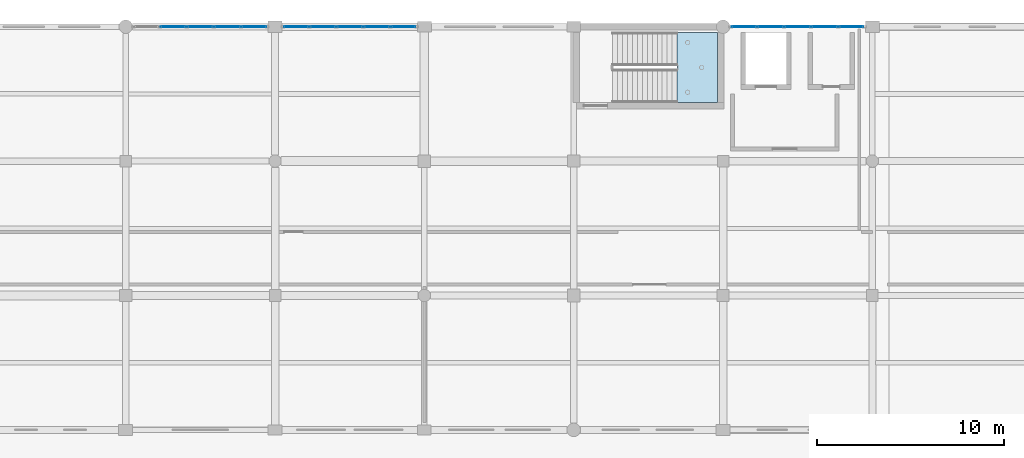
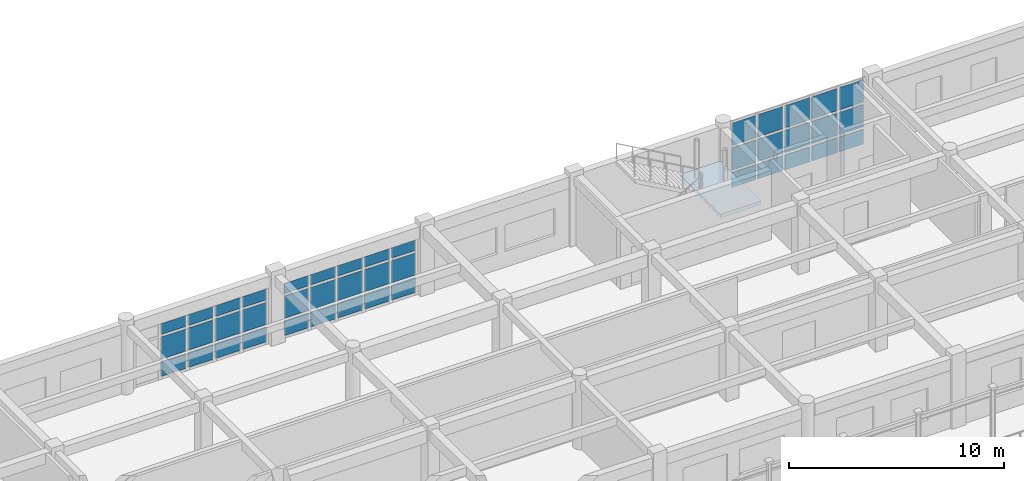
# One storey, part 151 of 195: 42 plates, 1 slab, 4 elements without a shape of their own.
"""IFC4 building model written with IfcOpenShell, lengths in metres."""

from ifc_helpers import new_model, si_unit, direction, frame, origin, origin_2d, place, context, subcontext, project, spatial, polyline, rectangle, outline, extrude, material, layer, layer_set, type_object, element, aggregate, save


model = new_model("IFC4")

# Units and contexts
model_context = context("Model", 3, precision=1e-05, world=origin(), true_north=direction((0.0, 1.0)))
body_context = subcontext(model_context, "Body", "Model", "MODEL_VIEW")
ifc_project = project(units=[si_unit("LENGTHUNIT", "METRE"), si_unit("AREAUNIT", "SQUARE_METRE"), si_unit("VOLUMEUNIT", "CUBIC_METRE"), si_unit("PLANEANGLEUNIT", "RADIAN"), si_unit("MASSUNIT", "GRAM", prefix="KILO")], contexts=[model_context])

# Site, building, storey
site_placement = place(None, origin())
site = spatial("IfcSite", under=ifc_project, at=site_placement, CompositionType="ELEMENT")
building_placement = place(site_placement, origin())
building = spatial("IfcBuilding", under=site, at=building_placement, Name="Kharva Crest Polytechnic", CompositionType="ELEMENT")
storey_placement = place(building_placement, frame((0.0, 0.0, 9.0)))
storey = spatial("IfcBuildingStorey", under=building, at=storey_placement, Name="L02", CompositionType="ELEMENT", Elevation=9.0)

# Curtain wall, plates
ifc_material_1 = material(Name="Tempered insulated glass", Category="glass")
curtain_wall_type = type_object("IfcCurtainWallType", Name="CW-SYS-LIBRARY", PredefinedType="USERDEFINED", material=ifc_material_1)
curtain_wall_1_placement = place(storey_placement, origin())
curtain_wall_1 = element("IfcCurtainWall", 1, at=curtain_wall_1_placement, inside=storey, type_object=curtain_wall_type, Name="L02 Glazed Curtain Wall CW-118", ObjectType="CURTAIN WALL", PredefinedType="USERDEFINED")
ifc_layer_1 = layer(ifc_material_1, 0.031982421875, Name="Tempered insulated glass")
ifc_layer_set_1 = layer_set([ifc_layer_1], Name="Tempered insulated glass")
plate_type = type_object("IfcPlateType", Name="CWP-GLZ-32", PredefinedType="CURTAIN_PANEL", material=ifc_layer_set_1)
plate_1_placement = place(storey_placement, frame((118.869384765625, 122.0, 0.14013671875), z_axis=(0.0, 0.0, 1.0), x_axis=(-1.0, 0.0, 0.0)))
plate_1 = element("IfcPlate", 2, at=plate_1_placement, type_object=plate_type, Name="CW-118 panel 1.1", PredefinedType="CURTAIN_PANEL", context=body_context, shape_type="SweptSolid", body=[
    extrude(rectangle(XDim=1.301025390625, YDim=0.031982421875, at=origin_2d()), origin(), (0.0, 0.0, 1.0), 0.840087890625),
])
plate_2_placement = place(storey_placement, frame((118.869384765625, 122.0, 1.1201171875), z_axis=(0.0, 0.0, 1.0), x_axis=(-1.0, 0.0, 0.0)))
plate_2 = element("IfcPlate", 3, at=plate_2_placement, type_object=plate_type, Name="CW-118 panel 1.2", PredefinedType="CURTAIN_PANEL", context=body_context, shape_type="SweptSolid", body=[
    extrude(rectangle(XDim=1.301025390625, YDim=0.031982421875, at=origin_2d()), origin(), (0.0, 0.0, 1.0), 1.260009765625),
])
plate_3_placement = place(storey_placement, frame((118.869384765625, 122.0, 2.52001953125), z_axis=(0.0, 0.0, 1.0), x_axis=(-1.0, 0.0, 0.0)))
plate_3 = element("IfcPlate", 4, at=plate_3_placement, type_object=plate_type, Name="CW-118 panel 1.3", PredefinedType="CURTAIN_PANEL", context=body_context, shape_type="SweptSolid", body=[
    extrude(rectangle(XDim=1.301025390625, YDim=0.031982421875, at=origin_2d()), origin(), (0.0, 0.0, 1.0), 1.260009765625),
])
plate_4_placement = place(storey_placement, frame((117.443603515625, 122.0, 0.14013671875), z_axis=(0.0, 0.0, 1.0), x_axis=(-1.0, 0.0, 0.0)))
plate_4 = element("IfcPlate", 5, at=plate_4_placement, type_object=plate_type, Name="CW-118 panel 2.1", PredefinedType="CURTAIN_PANEL", context=body_context, shape_type="SweptSolid", body=[
    extrude(rectangle(XDim=1.35107421875, YDim=0.031982421875, at=origin_2d()), origin(), (0.0, 0.0, 1.0), 0.840087890625),
])
plate_5_placement = place(storey_placement, frame((117.443603515625, 122.0, 1.1201171875), z_axis=(0.0, 0.0, 1.0), x_axis=(-1.0, 0.0, 0.0)))
plate_5 = element("IfcPlate", 6, at=plate_5_placement, type_object=plate_type, Name="CW-118 panel 2.2", PredefinedType="CURTAIN_PANEL", context=body_context, shape_type="SweptSolid", body=[
    extrude(rectangle(XDim=1.35107421875, YDim=0.031982421875, at=origin_2d()), origin(), (0.0, 0.0, 1.0), 1.260009765625),
])
plate_6_placement = place(storey_placement, frame((117.443603515625, 122.0, 2.52001953125), z_axis=(0.0, 0.0, 1.0), x_axis=(-1.0, 0.0, 0.0)))
plate_6 = element("IfcPlate", 7, at=plate_6_placement, type_object=plate_type, Name="CW-118 panel 2.3", PredefinedType="CURTAIN_PANEL", context=body_context, shape_type="SweptSolid", body=[
    extrude(rectangle(XDim=1.35107421875, YDim=0.031982421875, at=origin_2d()), origin(), (0.0, 0.0, 1.0), 1.260009765625),
])
plate_7_placement = place(storey_placement, frame((115.992431640625, 122.0, 0.14013671875), z_axis=(0.0, 0.0, 1.0), x_axis=(-1.0, 0.0, 0.0)))
plate_7 = element("IfcPlate", 8, at=plate_7_placement, type_object=plate_type, Name="CW-118 panel 3.1", PredefinedType="CURTAIN_PANEL", context=body_context, shape_type="SweptSolid", body=[
    extrude(rectangle(XDim=1.35107421875, YDim=0.031982421875, at=origin_2d()), origin(), (0.0, 0.0, 1.0), 0.840087890625),
])
plate_8_placement = place(storey_placement, frame((115.992431640625, 122.0, 1.1201171875), z_axis=(0.0, 0.0, 1.0), x_axis=(-1.0, 0.0, 0.0)))
plate_8 = element("IfcPlate", 9, at=plate_8_placement, type_object=plate_type, Name="CW-118 panel 3.2", PredefinedType="CURTAIN_PANEL", context=body_context, shape_type="SweptSolid", body=[
    extrude(rectangle(XDim=1.35107421875, YDim=0.031982421875, at=origin_2d()), origin(), (0.0, 0.0, 1.0), 1.260009765625),
])
plate_9_placement = place(storey_placement, frame((115.992431640625, 122.0, 2.52001953125), z_axis=(0.0, 0.0, 1.0), x_axis=(-1.0, 0.0, 0.0)))
plate_9 = element("IfcPlate", 10, at=plate_9_placement, type_object=plate_type, Name="CW-118 panel 3.3", PredefinedType="CURTAIN_PANEL", context=body_context, shape_type="SweptSolid", body=[
    extrude(rectangle(XDim=1.35107421875, YDim=0.031982421875, at=origin_2d()), origin(), (0.0, 0.0, 1.0), 1.260009765625),
])
plate_10_placement = place(storey_placement, frame((114.54150390625, 122.0, 0.14013671875), z_axis=(0.0, 0.0, 1.0), x_axis=(-1.0, 0.0, 0.0)))
plate_10 = element("IfcPlate", 11, at=plate_10_placement, type_object=plate_type, Name="CW-118 panel 4.1", PredefinedType="CURTAIN_PANEL", context=body_context, shape_type="SweptSolid", body=[
    extrude(rectangle(XDim=1.35107421875, YDim=0.031982421875, at=origin_2d()), origin(), (0.0, 0.0, 1.0), 0.840087890625),
])
plate_11_placement = place(storey_placement, frame((114.54150390625, 122.0, 1.1201171875), z_axis=(0.0, 0.0, 1.0), x_axis=(-1.0, 0.0, 0.0)))
plate_11 = element("IfcPlate", 12, at=plate_11_placement, type_object=plate_type, Name="CW-118 panel 4.2", PredefinedType="CURTAIN_PANEL", context=body_context, shape_type="SweptSolid", body=[
    extrude(rectangle(XDim=1.35107421875, YDim=0.031982421875, at=origin_2d()), origin(), (0.0, 0.0, 1.0), 1.260009765625),
])
plate_12_placement = place(storey_placement, frame((114.54150390625, 122.0, 2.52001953125), z_axis=(0.0, 0.0, 1.0), x_axis=(-1.0, 0.0, 0.0)))
plate_12 = element("IfcPlate", 13, at=plate_12_placement, type_object=plate_type, Name="CW-118 panel 4.3", PredefinedType="CURTAIN_PANEL", context=body_context, shape_type="SweptSolid", body=[
    extrude(rectangle(XDim=1.35107421875, YDim=0.031982421875, at=origin_2d()), origin(), (0.0, 0.0, 1.0), 1.260009765625),
])
plate_13_placement = place(storey_placement, frame((113.115478515625, 122.0, 0.14013671875), z_axis=(0.0, 0.0, 1.0), x_axis=(-1.0, 0.0, 0.0)))
plate_13 = element("IfcPlate", 14, at=plate_13_placement, type_object=plate_type, Name="CW-118 panel 5.1", PredefinedType="CURTAIN_PANEL", context=body_context, shape_type="SweptSolid", body=[
    extrude(rectangle(XDim=1.301025390625, YDim=0.031982421875, at=origin_2d()), origin(), (0.0, 0.0, 1.0), 0.840087890625),
])
plate_14_placement = place(storey_placement, frame((113.115478515625, 122.0, 1.1201171875), z_axis=(0.0, 0.0, 1.0), x_axis=(-1.0, 0.0, 0.0)))
plate_14 = element("IfcPlate", 15, at=plate_14_placement, type_object=plate_type, Name="CW-118 panel 5.2", PredefinedType="CURTAIN_PANEL", context=body_context, shape_type="SweptSolid", body=[
    extrude(rectangle(XDim=1.301025390625, YDim=0.031982421875, at=origin_2d()), origin(), (0.0, 0.0, 1.0), 1.260009765625),
])
plate_15_placement = place(storey_placement, frame((113.115478515625, 122.0, 2.52001953125), z_axis=(0.0, 0.0, 1.0), x_axis=(-1.0, 0.0, 0.0)))
plate_15 = element("IfcPlate", 16, at=plate_15_placement, type_object=plate_type, Name="CW-118 panel 5.3", PredefinedType="CURTAIN_PANEL", context=body_context, shape_type="SweptSolid", body=[
    extrude(rectangle(XDim=1.301025390625, YDim=0.031982421875, at=origin_2d()), origin(), (0.0, 0.0, 1.0), 1.260009765625),
])
aggregate(curtain_wall_1, [plate_1, plate_2, plate_3, plate_4, plate_5, plate_6, plate_7, plate_8, plate_9, plate_10, plate_11, plate_12, plate_13, plate_14, plate_15])

curtain_wall_2_placement = place(storey_placement, origin())
curtain_wall_2 = element("IfcCurtainWall", 17, at=curtain_wall_2_placement, inside=storey, type_object=curtain_wall_type, Name="L02 Glazed Curtain Wall CW-119", ObjectType="CURTAIN WALL", PredefinedType="USERDEFINED")
plate_16_placement = place(storey_placement, frame((94.87109375, 122.0, 0.14013671875), z_axis=(0.0, 0.0, 1.0), x_axis=(-1.0, 0.0, 0.0)))
plate_16 = element("IfcPlate", 18, at=plate_16_placement, type_object=plate_type, Name="CW-119 panel 1.1", PredefinedType="CURTAIN_PANEL", context=body_context, shape_type="SweptSolid", body=[
    extrude(rectangle(XDim=1.298095703125, YDim=0.031982421875, at=origin_2d()), origin(), (0.0, 0.0, 1.0), 0.840087890625),
])
plate_17_placement = place(storey_placement, frame((94.87109375, 122.0, 1.1201171875), z_axis=(0.0, 0.0, 1.0), x_axis=(-1.0, 0.0, 0.0)))
plate_17 = element("IfcPlate", 19, at=plate_17_placement, type_object=plate_type, Name="CW-119 panel 1.2", PredefinedType="CURTAIN_PANEL", context=body_context, shape_type="SweptSolid", body=[
    extrude(rectangle(XDim=1.298095703125, YDim=0.031982421875, at=origin_2d()), origin(), (0.0, 0.0, 1.0), 1.260009765625),
])
plate_18_placement = place(storey_placement, frame((94.87109375, 122.0, 2.52001953125), z_axis=(0.0, 0.0, 1.0), x_axis=(-1.0, 0.0, 0.0)))
plate_18 = element("IfcPlate", 20, at=plate_18_placement, type_object=plate_type, Name="CW-119 panel 1.3", PredefinedType="CURTAIN_PANEL", context=body_context, shape_type="SweptSolid", body=[
    extrude(rectangle(XDim=1.298095703125, YDim=0.031982421875, at=origin_2d()), origin(), (0.0, 0.0, 1.0), 0.580078125),
])
plate_19_placement = place(storey_placement, frame((93.447998046875, 122.0, 0.14013671875), z_axis=(0.0, 0.0, 1.0), x_axis=(-1.0, 0.0, 0.0)))
plate_19 = element("IfcPlate", 21, at=plate_19_placement, type_object=plate_type, Name="CW-119 panel 2.1", PredefinedType="CURTAIN_PANEL", context=body_context, shape_type="SweptSolid", body=[
    extrude(rectangle(XDim=1.347900390625, YDim=0.031982421875, at=origin_2d()), origin(), (0.0, 0.0, 1.0), 0.840087890625),
])
plate_20_placement = place(storey_placement, frame((93.447998046875, 122.0, 1.1201171875), z_axis=(0.0, 0.0, 1.0), x_axis=(-1.0, 0.0, 0.0)))
plate_20 = element("IfcPlate", 22, at=plate_20_placement, type_object=plate_type, Name="CW-119 panel 2.2", PredefinedType="CURTAIN_PANEL", context=body_context, shape_type="SweptSolid", body=[
    extrude(rectangle(XDim=1.347900390625, YDim=0.031982421875, at=origin_2d()), origin(), (0.0, 0.0, 1.0), 1.260009765625),
])
plate_21_placement = place(storey_placement, frame((93.447998046875, 122.0, 2.52001953125), z_axis=(0.0, 0.0, 1.0), x_axis=(-1.0, 0.0, 0.0)))
plate_21 = element("IfcPlate", 23, at=plate_21_placement, type_object=plate_type, Name="CW-119 panel 2.3", PredefinedType="CURTAIN_PANEL", context=body_context, shape_type="SweptSolid", body=[
    extrude(rectangle(XDim=1.347900390625, YDim=0.031982421875, at=origin_2d()), origin(), (0.0, 0.0, 1.0), 0.580078125),
])
plate_22_placement = place(storey_placement, frame((92.0, 122.0, 0.14013671875), z_axis=(0.0, 0.0, 1.0), x_axis=(-1.0, 0.0, 0.0)))
plate_22 = element("IfcPlate", 24, at=plate_22_placement, type_object=plate_type, Name="CW-119 panel 3.1", PredefinedType="CURTAIN_PANEL", context=body_context, shape_type="SweptSolid", body=[
    extrude(rectangle(XDim=1.347900390625, YDim=0.031982421875, at=origin_2d()), origin(), (0.0, 0.0, 1.0), 0.840087890625),
])
plate_23_placement = place(storey_placement, frame((92.0, 122.0, 1.1201171875), z_axis=(0.0, 0.0, 1.0), x_axis=(-1.0, 0.0, 0.0)))
plate_23 = element("IfcPlate", 25, at=plate_23_placement, type_object=plate_type, Name="CW-119 panel 3.2", PredefinedType="CURTAIN_PANEL", context=body_context, shape_type="SweptSolid", body=[
    extrude(rectangle(XDim=1.347900390625, YDim=0.031982421875, at=origin_2d()), origin(), (0.0, 0.0, 1.0), 1.260009765625),
])
plate_24_placement = place(storey_placement, frame((92.0, 122.0, 2.52001953125), z_axis=(0.0, 0.0, 1.0), x_axis=(-1.0, 0.0, 0.0)))
plate_24 = element("IfcPlate", 26, at=plate_24_placement, type_object=plate_type, Name="CW-119 panel 3.3", PredefinedType="CURTAIN_PANEL", context=body_context, shape_type="SweptSolid", body=[
    extrude(rectangle(XDim=1.347900390625, YDim=0.031982421875, at=origin_2d()), origin(), (0.0, 0.0, 1.0), 0.580078125),
])
plate_25_placement = place(storey_placement, frame((90.552001953125, 122.0, 0.14013671875), z_axis=(0.0, 0.0, 1.0), x_axis=(-1.0, 0.0, 0.0)))
plate_25 = element("IfcPlate", 27, at=plate_25_placement, type_object=plate_type, Name="CW-119 panel 4.1", PredefinedType="CURTAIN_PANEL", context=body_context, shape_type="SweptSolid", body=[
    extrude(rectangle(XDim=1.347900390625, YDim=0.031982421875, at=origin_2d()), origin(), (0.0, 0.0, 1.0), 0.840087890625),
])
plate_26_placement = place(storey_placement, frame((90.552001953125, 122.0, 1.1201171875), z_axis=(0.0, 0.0, 1.0), x_axis=(-1.0, 0.0, 0.0)))
plate_26 = element("IfcPlate", 28, at=plate_26_placement, type_object=plate_type, Name="CW-119 panel 4.2", PredefinedType="CURTAIN_PANEL", context=body_context, shape_type="SweptSolid", body=[
    extrude(rectangle(XDim=1.347900390625, YDim=0.031982421875, at=origin_2d()), origin(), (0.0, 0.0, 1.0), 1.260009765625),
])
plate_27_placement = place(storey_placement, frame((90.552001953125, 122.0, 2.52001953125), z_axis=(0.0, 0.0, 1.0), x_axis=(-1.0, 0.0, 0.0)))
plate_27 = element("IfcPlate", 29, at=plate_27_placement, type_object=plate_type, Name="CW-119 panel 4.3", PredefinedType="CURTAIN_PANEL", context=body_context, shape_type="SweptSolid", body=[
    extrude(rectangle(XDim=1.347900390625, YDim=0.031982421875, at=origin_2d()), origin(), (0.0, 0.0, 1.0), 0.580078125),
])
plate_28_placement = place(storey_placement, frame((89.12890625, 122.0, 0.14013671875), z_axis=(0.0, 0.0, 1.0), x_axis=(-1.0, 0.0, 0.0)))
plate_28 = element("IfcPlate", 30, at=plate_28_placement, type_object=plate_type, Name="CW-119 panel 5.1", PredefinedType="CURTAIN_PANEL", context=body_context, shape_type="SweptSolid", body=[
    extrude(rectangle(XDim=1.298095703125, YDim=0.031982421875, at=origin_2d()), origin(), (0.0, 0.0, 1.0), 0.840087890625),
])
plate_29_placement = place(storey_placement, frame((89.12890625, 122.0, 1.1201171875), z_axis=(0.0, 0.0, 1.0), x_axis=(-1.0, 0.0, 0.0)))
plate_29 = element("IfcPlate", 31, at=plate_29_placement, type_object=plate_type, Name="CW-119 panel 5.2", PredefinedType="CURTAIN_PANEL", context=body_context, shape_type="SweptSolid", body=[
    extrude(rectangle(XDim=1.298095703125, YDim=0.031982421875, at=origin_2d()), origin(), (0.0, 0.0, 1.0), 1.260009765625),
])
plate_30_placement = place(storey_placement, frame((89.12890625, 122.0, 2.52001953125), z_axis=(0.0, 0.0, 1.0), x_axis=(-1.0, 0.0, 0.0)))
plate_30 = element("IfcPlate", 32, at=plate_30_placement, type_object=plate_type, Name="CW-119 panel 5.3", PredefinedType="CURTAIN_PANEL", context=body_context, shape_type="SweptSolid", body=[
    extrude(rectangle(XDim=1.298095703125, YDim=0.031982421875, at=origin_2d()), origin(), (0.0, 0.0, 1.0), 0.580078125),
])
aggregate(curtain_wall_2, [plate_16, plate_17, plate_18, plate_19, plate_20, plate_21, plate_22, plate_23, plate_24, plate_25, plate_26, plate_27, plate_28, plate_29, plate_30])

curtain_wall_3_placement = place(storey_placement, origin())
curtain_wall_3 = element("IfcCurtainWall", 33, at=curtain_wall_3_placement, inside=storey, type_object=curtain_wall_type, Name="L02 Glazed Curtain Wall CW-120", ObjectType="CURTAIN WALL", PredefinedType="USERDEFINED")
plate_31_placement = place(storey_placement, frame((86.869384765625, 122.0, 0.14013671875), z_axis=(0.0, 0.0, 1.0), x_axis=(-1.0, 0.0, 0.0)))
plate_31 = element("IfcPlate", 34, at=plate_31_placement, type_object=plate_type, Name="CW-120 panel 1.1", PredefinedType="CURTAIN_PANEL", context=body_context, shape_type="SweptSolid", body=[
    extrude(rectangle(XDim=1.301025390625, YDim=0.031982421875, at=origin_2d()), origin(), (0.0, 0.0, 1.0), 0.840087890625),
])
plate_32_placement = place(storey_placement, frame((86.869384765625, 122.0, 1.1201171875), z_axis=(0.0, 0.0, 1.0), x_axis=(-1.0, 0.0, 0.0)))
plate_32 = element("IfcPlate", 35, at=plate_32_placement, type_object=plate_type, Name="CW-120 panel 1.2", PredefinedType="CURTAIN_PANEL", context=body_context, shape_type="SweptSolid", body=[
    extrude(rectangle(XDim=1.301025390625, YDim=0.031982421875, at=origin_2d()), origin(), (0.0, 0.0, 1.0), 1.260009765625),
])
plate_33_placement = place(storey_placement, frame((86.869384765625, 122.0, 2.52001953125), z_axis=(0.0, 0.0, 1.0), x_axis=(-1.0, 0.0, 0.0)))
plate_33 = element("IfcPlate", 36, at=plate_33_placement, type_object=plate_type, Name="CW-120 panel 1.3", PredefinedType="CURTAIN_PANEL", context=body_context, shape_type="SweptSolid", body=[
    extrude(rectangle(XDim=1.301025390625, YDim=0.031982421875, at=origin_2d()), origin(), (0.0, 0.0, 1.0), 0.610107421875),
])
plate_34_placement = place(storey_placement, frame((85.443603515625, 122.0, 0.14013671875), z_axis=(0.0, 0.0, 1.0), x_axis=(-1.0, 0.0, 0.0)))
plate_34 = element("IfcPlate", 37, at=plate_34_placement, type_object=plate_type, Name="CW-120 panel 2.1", PredefinedType="CURTAIN_PANEL", context=body_context, shape_type="SweptSolid", body=[
    extrude(rectangle(XDim=1.35107421875, YDim=0.031982421875, at=origin_2d()), origin(), (0.0, 0.0, 1.0), 0.840087890625),
])
plate_35_placement = place(storey_placement, frame((85.443603515625, 122.0, 1.1201171875), z_axis=(0.0, 0.0, 1.0), x_axis=(-1.0, 0.0, 0.0)))
plate_35 = element("IfcPlate", 38, at=plate_35_placement, type_object=plate_type, Name="CW-120 panel 2.2", PredefinedType="CURTAIN_PANEL", context=body_context, shape_type="SweptSolid", body=[
    extrude(rectangle(XDim=1.35107421875, YDim=0.031982421875, at=origin_2d()), origin(), (0.0, 0.0, 1.0), 1.260009765625),
])
plate_36_placement = place(storey_placement, frame((85.443603515625, 122.0, 2.52001953125), z_axis=(0.0, 0.0, 1.0), x_axis=(-1.0, 0.0, 0.0)))
plate_36 = element("IfcPlate", 39, at=plate_36_placement, type_object=plate_type, Name="CW-120 panel 2.3", PredefinedType="CURTAIN_PANEL", context=body_context, shape_type="SweptSolid", body=[
    extrude(rectangle(XDim=1.35107421875, YDim=0.031982421875, at=origin_2d()), origin(), (0.0, 0.0, 1.0), 0.610107421875),
])
plate_37_placement = place(storey_placement, frame((83.992431640625, 122.0, 0.14013671875), z_axis=(0.0, 0.0, 1.0), x_axis=(-1.0, 0.0, 0.0)))
plate_37 = element("IfcPlate", 40, at=plate_37_placement, type_object=plate_type, Name="CW-120 panel 3.1", PredefinedType="CURTAIN_PANEL", context=body_context, shape_type="SweptSolid", body=[
    extrude(rectangle(XDim=1.35107421875, YDim=0.031982421875, at=origin_2d()), origin(), (0.0, 0.0, 1.0), 0.840087890625),
])
plate_38_placement = place(storey_placement, frame((83.992431640625, 122.0, 1.1201171875), z_axis=(0.0, 0.0, 1.0), x_axis=(-1.0, 0.0, 0.0)))
plate_38 = element("IfcPlate", 41, at=plate_38_placement, type_object=plate_type, Name="CW-120 panel 3.2", PredefinedType="CURTAIN_PANEL", context=body_context, shape_type="SweptSolid", body=[
    extrude(rectangle(XDim=1.35107421875, YDim=0.031982421875, at=origin_2d()), origin(), (0.0, 0.0, 1.0), 1.260009765625),
])
plate_39_placement = place(storey_placement, frame((83.992431640625, 122.0, 2.52001953125), z_axis=(0.0, 0.0, 1.0), x_axis=(-1.0, 0.0, 0.0)))
plate_39 = element("IfcPlate", 42, at=plate_39_placement, type_object=plate_type, Name="CW-120 panel 3.3", PredefinedType="CURTAIN_PANEL", context=body_context, shape_type="SweptSolid", body=[
    extrude(rectangle(XDim=1.35107421875, YDim=0.031982421875, at=origin_2d()), origin(), (0.0, 0.0, 1.0), 0.610107421875),
])
plate_40_placement = place(storey_placement, frame((82.54150390625, 122.0, 0.14013671875), z_axis=(0.0, 0.0, 1.0), x_axis=(-1.0, 0.0, 0.0)))
plate_40 = element("IfcPlate", 43, at=plate_40_placement, type_object=plate_type, Name="CW-120 panel 4.1", PredefinedType="CURTAIN_PANEL", context=body_context, shape_type="SweptSolid", body=[
    extrude(rectangle(XDim=1.35107421875, YDim=0.031982421875, at=origin_2d()), origin(), (0.0, 0.0, 1.0), 0.840087890625),
])
plate_41_placement = place(storey_placement, frame((82.54150390625, 122.0, 1.1201171875), z_axis=(0.0, 0.0, 1.0), x_axis=(-1.0, 0.0, 0.0)))
plate_41 = element("IfcPlate", 44, at=plate_41_placement, type_object=plate_type, Name="CW-120 panel 4.2", PredefinedType="CURTAIN_PANEL", context=body_context, shape_type="SweptSolid", body=[
    extrude(rectangle(XDim=1.35107421875, YDim=0.031982421875, at=origin_2d()), origin(), (0.0, 0.0, 1.0), 1.260009765625),
])
plate_42_placement = place(storey_placement, frame((82.54150390625, 122.0, 2.52001953125), z_axis=(0.0, 0.0, 1.0), x_axis=(-1.0, 0.0, 0.0)))
plate_42 = element("IfcPlate", 45, at=plate_42_placement, type_object=plate_type, Name="CW-120 panel 4.3", PredefinedType="CURTAIN_PANEL", context=body_context, shape_type="SweptSolid", body=[
    extrude(rectangle(XDim=1.35107421875, YDim=0.031982421875, at=origin_2d()), origin(), (0.0, 0.0, 1.0), 0.610107421875),
])
aggregate(curtain_wall_3, [plate_31, plate_32, plate_33, plate_34, plate_35, plate_36, plate_37, plate_38, plate_39, plate_40, plate_41, plate_42])

# Stair, slab
ifc_material_2 = material(Name="Concrete C35/45", Category="concrete")
stair_type = type_object("IfcStairType", Name="STR-DOGLEG-1780", PredefinedType="TWO_STRAIGHT_RUN_STAIR", material=ifc_material_2)
stair_placement = place(storey_placement, origin())
stair = element("IfcStair", 46, at=stair_placement, inside=storey, type_object=stair_type, Name="L02 North Crest Firefighting Core C4", PredefinedType="TWO_STRAIGHT_RUN_STAIR")
ifc_layer_2 = layer(ifc_material_2, 0.199951171875, Name="Concrete C35/45")
ifc_layer_set_2 = layer_set([ifc_layer_2], Name="Concrete C35/45")
slab_type = type_object("IfcSlabType", Name="SLB-LAND-200", PredefinedType="LANDING", material=ifc_layer_set_2)
slab_placement = place(storey_placement, frame((0.0, 0.0, 1.89990234375)))
slab = element("IfcSlab", 47, at=slab_placement, type_object=slab_type, Name="ST-04 landing 1", PredefinedType="LANDING", context=body_context, shape_type="SweptSolid", body=[
    extrude(outline(polyline([(109.534912109375, 117.93994140625), (111.699951171875, 117.93994140625), (111.699951171875, 121.699951171875), (109.534912109375, 121.699951171875), (109.534912109375, 117.93994140625)])), origin(), (0.0, 0.0, 1.0), 0.2001953125),
])
aggregate(stair, [slab])

save(model, "model.ifc")
